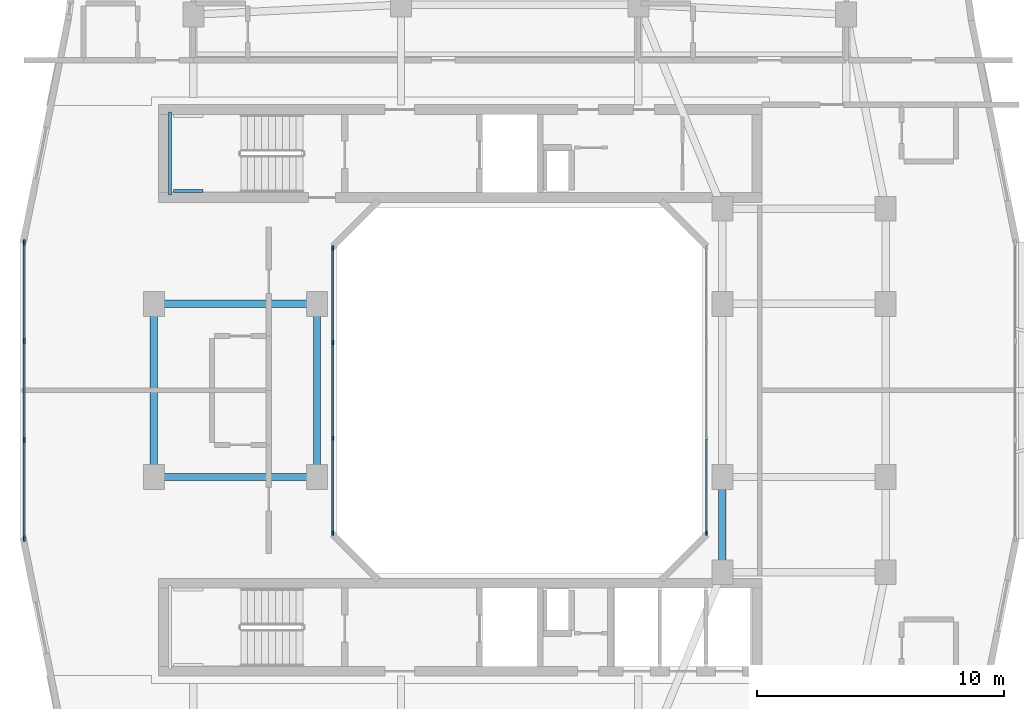
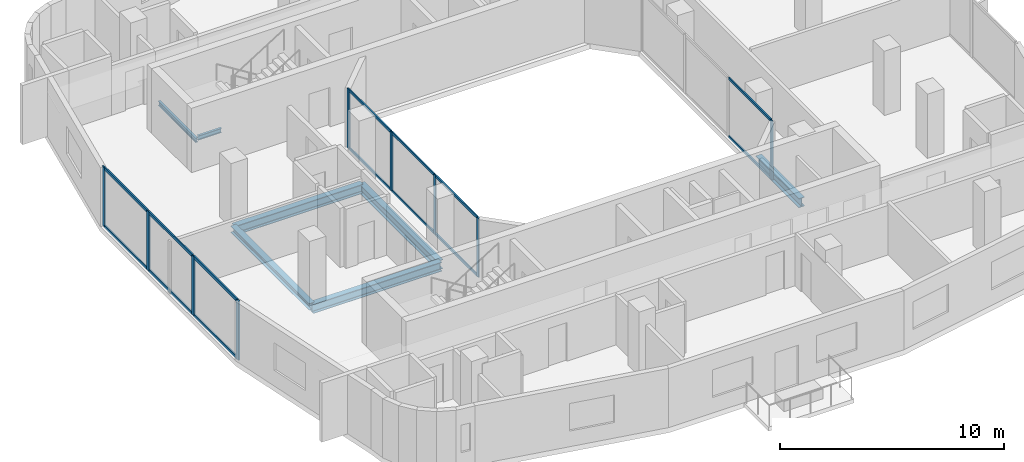
# One storey, part 2 of 13: 23 members, 7 beams, 3 elements without a shape of their own.
"""IFC4 building model written with IfcOpenShell, lengths in metres."""

from ifc_helpers import new_model, si_unit, derived_unit, direction, frame, origin, origin_2d, place, context, subcontext, project, spatial, rectangle, i_section, extrude, material, layer, layer_set, material_profile, profile_set, type_object, element, aggregate, save


model = new_model("IFC4")

# Units and contexts
model_context = context("Model", 3, precision=1e-05, world=origin(), true_north=direction((0.0, 1.0)))
body_context = subcontext(model_context, "Body", "Model", "MODEL_VIEW")
ifc_project = project(units=[si_unit("LENGTHUNIT", "METRE"), si_unit("AREAUNIT", "SQUARE_METRE"), si_unit("VOLUMEUNIT", "CUBIC_METRE"), si_unit("PLANEANGLEUNIT", "RADIAN"), si_unit("MASSUNIT", "GRAM", prefix="KILO"), derived_unit("THERMALTRANSMITTANCEUNIT", [(si_unit("POWERUNIT", "WATT"), 1), (si_unit("LENGTHUNIT", "METRE"), -2), (si_unit("THERMODYNAMICTEMPERATUREUNIT", "KELVIN"), -1)])], contexts=[model_context])

# Site, building, storey
site_placement = place(None, origin())
site = spatial("IfcSite", under=ifc_project, at=site_placement, CompositionType="ELEMENT")
building_placement = place(site_placement, origin())
building = spatial("IfcBuilding", under=site, at=building_placement, Name="Kivonza Crest Hotel", CompositionType="ELEMENT")
storey_placement = place(building_placement, frame((0.0, 0.0, 134.5)))
storey = spatial("IfcBuildingStorey", under=building, at=storey_placement, Name="L36", CompositionType="ELEMENT", Elevation=134.5)

# Beams
ifc_material_1 = material(Name="Steel S355", Category="steel")
ifc_material_profile_1 = material_profile(ifc_material_1, i_section(OverallWidth=0.300048828125, OverallDepth=0.360107421875, WebThickness=0.012451171875, FlangeThickness=0.0224609375, FilletRadius=0.027099609375, at=origin_2d()), Name="HEB 360")
ifc_profile_set_1 = profile_set([ifc_material_profile_1], Name="Steel S355")
beam_type_1 = type_object("IfcBeamType", Name="BM-HEB360", PredefinedType="SPANDREL", material=ifc_profile_set_1)
beam_1_placement = place(storey_placement, frame((6.199951171875, 28.5, -0.4599609375), z_axis=(0.0, -1.0, 0.0), x_axis=(1.0, 0.0, 0.0)))
element("IfcBeam", 1, at=beam_1_placement, inside=storey, type_object=beam_type_1, Name="Tower T1 L36 perimeter spandrel W2-W1", PredefinedType="SPANDREL", context=body_context, shape_type="SweptSolid", body=[
    extrude(i_section(OverallWidth=0.300048828125, OverallDepth=0.360107421875, WebThickness=0.012451171875, FlangeThickness=0.0224609375, FilletRadius=0.027099609375, at=origin_2d()), origin(), (0.0, 0.0, 1.0), 7.0),
])
ifc_material_profile_2 = material_profile(ifc_material_1, i_section(OverallWidth=0.300048828125, OverallDepth=0.5, WebThickness=0.014404296875, FlangeThickness=0.028076171875, FilletRadius=0.027099609375, at=origin_2d()), Name="HEB 500")
ifc_profile_set_2 = profile_set([ifc_material_profile_2], Name="Steel S355")
beam_type_2 = type_object("IfcBeamType", Name="BM-HEB500", PredefinedType="BEAM", material=ifc_profile_set_2)
for number, where, z_axis, x_axis, name in (
    (2, (6.199951171875, 21.5, -0.530029296875), (1.0, 0.0, 0.0), (0.0, 1.0, 0.0), "Tower T1 L36 primary girder W1-WL1"),
    (3, (6.199951171875, 28.5, -0.530029296875), (1.0, 0.0, 0.0), (0.0, 1.0, 0.0), "Tower T1 L36 primary girder W2-WL2"),
):
    element("IfcBeam", number, at=place(storey_placement, frame(where, z_axis=z_axis, x_axis=x_axis)), inside=storey, type_object=beam_type_2, Name=name, PredefinedType="BEAM", context=body_context, shape_type="SweptSolid", body=[
        extrude(i_section(OverallWidth=0.300048828125, OverallDepth=0.5, WebThickness=0.014404296875, FlangeThickness=0.028076171875, FilletRadius=0.027099609375, at=origin_2d()), origin(), (0.0, 0.0, 1.0), 6.60009765625),
    ])
beam_2_placement = place(storey_placement, frame((12.800048828125, 21.5, -0.530029296875), z_axis=(0.0, 1.0, 0.0), x_axis=(-1.0, 0.0, 0.0)))
element("IfcBeam", 4, at=beam_2_placement, inside=storey, type_object=beam_type_2, Name="Tower T1 L36 primary girder WL1-WL2", PredefinedType="BEAM", context=body_context, shape_type="SweptSolid", body=[
    extrude(i_section(OverallWidth=0.300048828125, OverallDepth=0.5, WebThickness=0.014404296875, FlangeThickness=0.028076171875, FilletRadius=0.027099609375, at=origin_2d()), origin(), (0.0, 0.0, 1.0), 7.0),
])
beam_3_placement = place(storey_placement, frame((29.199951171875, 17.64990234375, -0.530029296875), z_axis=(0.0, 1.0, 0.0), x_axis=(-1.0, 0.0, 0.0)))
element("IfcBeam", 5, at=beam_3_placement, inside=storey, type_object=beam_type_2, Name="Tower T1 L36 primary girder TSE-WR1", PredefinedType="BEAM", context=body_context, shape_type="SweptSolid", body=[
    extrude(i_section(OverallWidth=0.300048828125, OverallDepth=0.5, WebThickness=0.014404296875, FlangeThickness=0.028076171875, FilletRadius=0.027099609375, at=origin_2d()), origin(), (0.0, 0.0, 1.0), 3.85009765625),
])
ifc_material_profile_3 = material_profile(ifc_material_1, i_section(OverallWidth=0.1201171875, OverallDepth=0.239990234375, WebThickness=0.006103515625, FlangeThickness=0.009765625, FilletRadius=0.014892578125, at=origin_2d()), Name="IPE 240")
ifc_profile_set_3 = profile_set([ifc_material_profile_3], Name="Steel S355")
beam_type_3 = type_object("IfcBeamType", Name="BM-LLDG-240", PredefinedType="BEAM", material=ifc_profile_set_3)
beam_4_placement = place(storey_placement, frame((6.860107421875, 32.89990234375, 1.429931640625), z_axis=(0.0, 1.0, 0.0), x_axis=(-1.0, 0.0, 0.0)))
element("IfcBeam", 6, at=beam_4_placement, inside=storey, type_object=beam_type_3, Name="Stair ST-T1-N L36 West landing corbel", PredefinedType="BEAM", context=body_context, shape_type="SweptSolid", body=[
    extrude(i_section(OverallWidth=0.1201171875, OverallDepth=0.239990234375, WebThickness=0.006103515625, FlangeThickness=0.009765625, FilletRadius=0.014892578125, at=origin_2d()), origin(), (0.0, 0.0, 1.0), 3.360107421875),
])
beam_5_placement = place(storey_placement, frame((6.989990234375, 33.06005859375, 1.429931640625), z_axis=(1.0, 0.0, 0.0), x_axis=(0.0, 1.0, 0.0)))
element("IfcBeam", 7, at=beam_5_placement, inside=storey, type_object=beam_type_3, Name="Stair ST-T1-N L36 South landing corbel", PredefinedType="BEAM", context=body_context, shape_type="SweptSolid", body=[
    extrude(i_section(OverallWidth=0.1201171875, OverallDepth=0.239990234375, WebThickness=0.006103515625, FlangeThickness=0.009765625, FilletRadius=0.014892578125, at=origin_2d()), origin(), (0.0, 0.0, 1.0), 1.2099609375),
])

# Curtain wall, member
ifc_material_2 = material(Name="Anodised bronze aluminium and low-E double glazing", Category="aluminium")
ifc_layer_1 = layer(ifc_material_2, 0.159912109375)
ifc_layer_set_1 = layer_set([ifc_layer_1], Name="Anodised bronze aluminium and low-E double glazing")
curtain_wall_type_1 = type_object("IfcCurtainWallType", Name="CW-SYS-5", PredefinedType="NOTDEFINED", material=ifc_layer_set_1)
curtain_wall_1_placement = place(storey_placement, origin())
curtain_wall_1 = element("IfcCurtainWall", 8, at=curtain_wall_1_placement, inside=storey, type_object=curtain_wall_type_1, Name="L36 unitised curtain wall CW-WELL-T1-L36-3", PredefinedType="NOTDEFINED")
ifc_material_3 = material(Name="Anodised bronze aluminium", Category="aluminium")
ifc_material_profile_4 = material_profile(ifc_material_3, rectangle(XDim=0.06494140625, YDim=0.179931640625, at=origin_2d()), Name="CW-M 65x180")
ifc_profile_set_4 = profile_set([ifc_material_profile_4], Name="Anodised bronze aluminium")
member_type_1 = type_object("IfcMemberType", Name="CW-MUL-65x180", PredefinedType="MULLION", material=ifc_profile_set_4)
member_1_placement = place(storey_placement, frame((28.56005859375, 19.232421875, 0.0), z_axis=(0.0, 0.0, 1.0), x_axis=(-1.0, 0.0, 0.0)))
member_1 = element("IfcMember", 9, at=member_1_placement, type_object=member_type_1, Name="CW-5 mullion 1", PredefinedType="MULLION", context=body_context, shape_type="SweptSolid", body=[
    extrude(rectangle(XDim=0.06494140625, YDim=0.179931640625, at=origin_2d()), origin(), (0.0, 0.0, 1.0), 3.219970703125),
])

# Curtain wall, members
curtain_wall_2_placement = place(storey_placement, origin())
curtain_wall_2 = element("IfcCurtainWall", 10, at=curtain_wall_2_placement, inside=storey, type_object=curtain_wall_type_1, Name="L36 unitised curtain wall CW-WELL-T1-L36-7", PredefinedType="NOTDEFINED")
member_2_placement = place(storey_placement, frame((13.43994140625, 30.767578125, 0.0), z_axis=(0.0, 0.0, 1.0), x_axis=(1.0, 0.0, 0.0)))
member_2 = element("IfcMember", 11, at=member_2_placement, type_object=member_type_1, Name="CW-5 mullion 1", PredefinedType="MULLION", context=body_context, shape_type="SweptSolid", body=[
    extrude(rectangle(XDim=0.06494140625, YDim=0.179931640625, at=origin_2d()), origin(), (0.0, 0.0, 1.0), 3.219970703125),
])
member_3_placement = place(storey_placement, frame((13.43994140625, 26.933349609375, 0.0), z_axis=(0.0, 0.0, 1.0), x_axis=(1.0, 0.0, 0.0)))
member_3 = element("IfcMember", 12, at=member_3_placement, type_object=member_type_1, Name="CW-5 mullion 2", PredefinedType="MULLION", context=body_context, shape_type="SweptSolid", body=[
    extrude(rectangle(XDim=0.06494140625, YDim=0.179931640625, at=origin_2d()), origin(), (0.0, 0.0, 1.0), 3.219970703125),
])
member_4_placement = place(storey_placement, frame((13.43994140625, 23.066650390625, 0.0), z_axis=(0.0, 0.0, 1.0), x_axis=(1.0, 0.0, 0.0)))
member_4 = element("IfcMember", 13, at=member_4_placement, type_object=member_type_1, Name="CW-5 mullion 3", PredefinedType="MULLION", context=body_context, shape_type="SweptSolid", body=[
    extrude(rectangle(XDim=0.06494140625, YDim=0.179931640625, at=origin_2d()), origin(), (0.0, 0.0, 1.0), 3.219970703125),
])
member_5_placement = place(storey_placement, frame((13.43994140625, 19.232421875, 0.0), z_axis=(0.0, 0.0, 1.0), x_axis=(1.0, 0.0, 0.0)))
member_5 = element("IfcMember", 14, at=member_5_placement, type_object=member_type_1, Name="CW-5 mullion 4", PredefinedType="MULLION", context=body_context, shape_type="SweptSolid", body=[
    extrude(rectangle(XDim=0.06494140625, YDim=0.179931640625, at=origin_2d()), origin(), (0.0, 0.0, 1.0), 3.219970703125),
])

ifc_layer_2 = layer(ifc_material_2, 0.179931640625)
ifc_layer_set_2 = layer_set([ifc_layer_2], Name="Anodised bronze aluminium and low-E double glazing")
curtain_wall_type_2 = type_object("IfcCurtainWallType", Name="CW-SYS-3", PredefinedType="NOTDEFINED", material=ifc_layer_set_2)
curtain_wall_3_placement = place(storey_placement, origin())
curtain_wall_3 = element("IfcCurtainWall", 15, at=curtain_wall_3_placement, inside=storey, type_object=curtain_wall_type_2, Name="L36 unitised curtain wall CW-T1-L36-35", PredefinedType="NOTDEFINED")
ifc_material_profile_5 = material_profile(ifc_material_3, rectangle(XDim=0.074951171875, YDim=0.219970703125, at=origin_2d()), Name="CW-M 75x220")
ifc_profile_set_5 = profile_set([ifc_material_profile_5], Name="Anodised bronze aluminium")
member_type_2 = type_object("IfcMemberType", Name="CW-MUL-75x220", PredefinedType="MULLION", material=ifc_profile_set_5)
member_6_placement = place(storey_placement, frame((0.9599609375, 30.982421875, 0.0), z_axis=(0.0, 0.0, 1.0), x_axis=(1.0, 0.0, 0.0)))
member_6 = element("IfcMember", 16, at=member_6_placement, type_object=member_type_2, Name="CW-3 mullion 1", PredefinedType="MULLION", context=body_context, shape_type="SweptSolid", body=[
    extrude(rectangle(XDim=0.074951171875, YDim=0.219970703125, at=origin_2d()), origin(), (0.0, 0.0, 1.0), 3.219970703125),
])
member_7_placement = place(storey_placement, frame((0.9599609375, 27.006591796875, 0.0), z_axis=(0.0, 0.0, 1.0), x_axis=(1.0, 0.0, 0.0)))
member_7 = element("IfcMember", 17, at=member_7_placement, type_object=member_type_2, Name="CW-3 mullion 2", PredefinedType="MULLION", context=body_context, shape_type="SweptSolid", body=[
    extrude(rectangle(XDim=0.074951171875, YDim=0.219970703125, at=origin_2d()), origin(), (0.0, 0.0, 1.0), 3.219970703125),
])
member_8_placement = place(storey_placement, frame((0.9599609375, 22.993408203125, 0.0), z_axis=(0.0, 0.0, 1.0), x_axis=(1.0, 0.0, 0.0)))
member_8 = element("IfcMember", 18, at=member_8_placement, type_object=member_type_2, Name="CW-3 mullion 3", PredefinedType="MULLION", context=body_context, shape_type="SweptSolid", body=[
    extrude(rectangle(XDim=0.074951171875, YDim=0.219970703125, at=origin_2d()), origin(), (0.0, 0.0, 1.0), 3.219970703125),
])
member_9_placement = place(storey_placement, frame((0.9599609375, 19.017578125, 0.0), z_axis=(0.0, 0.0, 1.0), x_axis=(1.0, 0.0, 0.0)))
member_9 = element("IfcMember", 19, at=member_9_placement, type_object=member_type_2, Name="CW-3 mullion 4", PredefinedType="MULLION", context=body_context, shape_type="SweptSolid", body=[
    extrude(rectangle(XDim=0.074951171875, YDim=0.219970703125, at=origin_2d()), origin(), (0.0, 0.0, 1.0), 3.219970703125),
])

# Member
ifc_material_profile_6 = material_profile(ifc_material_3, rectangle(XDim=0.06494140625, YDim=0.139892578125, at=origin_2d()), Name="CW-T 65x140")
ifc_profile_set_6 = profile_set([ifc_material_profile_6], Name="Anodised bronze aluminium")
member_type_3 = type_object("IfcMemberType", Name="CW-TRN-65x140", PredefinedType="USERDEFINED", material=ifc_profile_set_6)
member_10_placement = place(storey_placement, frame((28.56005859375, 19.264892578125, 0.032470703125), z_axis=(0.0, 1.0, 0.0), x_axis=(-1.0, 0.0, 0.0)))
member_10 = element("IfcMember", 20, at=member_10_placement, type_object=member_type_3, Name="CW-5 transom 1.1", ObjectType="TRANSOM", PredefinedType="USERDEFINED", context=body_context, shape_type="SweptSolid", body=[
    extrude(rectangle(XDim=0.06494140625, YDim=0.139892578125, at=origin_2d()), origin(), (0.0, 0.0, 1.0), 3.769287109375),
])

member_11_placement = place(storey_placement, frame((28.56005859375, 19.264892578125, 3.1875), z_axis=(0.0, 1.0, 0.0), x_axis=(-1.0, 0.0, 0.0)))
member_11 = element("IfcMember", 21, at=member_11_placement, type_object=member_type_3, Name="CW-5 transom 1.2", ObjectType="TRANSOM", PredefinedType="USERDEFINED", context=body_context, shape_type="SweptSolid", body=[
    extrude(rectangle(XDim=0.06494140625, YDim=0.139892578125, at=origin_2d()), origin(), (0.0, 0.0, 1.0), 3.769287109375),
])

aggregate(curtain_wall_1, [member_1, member_10, member_11])

member_12_placement = place(storey_placement, frame((13.43994140625, 30.735107421875, 0.032470703125), z_axis=(0.0, -1.0, 0.0), x_axis=(1.0, 0.0, 0.0)))
member_12 = element("IfcMember", 22, at=member_12_placement, type_object=member_type_3, Name="CW-5 transom 1.1", ObjectType="TRANSOM", PredefinedType="USERDEFINED", context=body_context, shape_type="SweptSolid", body=[
    extrude(rectangle(XDim=0.06494140625, YDim=0.139892578125, at=origin_2d()), origin(), (0.0, 0.0, 1.0), 3.769287109375),
])

member_13_placement = place(storey_placement, frame((13.43994140625, 30.735107421875, 3.1875), z_axis=(0.0, -1.0, 0.0), x_axis=(1.0, 0.0, 0.0)))
member_13 = element("IfcMember", 23, at=member_13_placement, type_object=member_type_3, Name="CW-5 transom 1.2", ObjectType="TRANSOM", PredefinedType="USERDEFINED", context=body_context, shape_type="SweptSolid", body=[
    extrude(rectangle(XDim=0.06494140625, YDim=0.139892578125, at=origin_2d()), origin(), (0.0, 0.0, 1.0), 3.769287109375),
])

member_14_placement = place(storey_placement, frame((13.43994140625, 26.90087890625, 0.032470703125), z_axis=(0.0, -1.0, 0.0), x_axis=(1.0, 0.0, 0.0)))
member_14 = element("IfcMember", 24, at=member_14_placement, type_object=member_type_3, Name="CW-5 transom 2.1", ObjectType="TRANSOM", PredefinedType="USERDEFINED", context=body_context, shape_type="SweptSolid", body=[
    extrude(rectangle(XDim=0.06494140625, YDim=0.139892578125, at=origin_2d()), origin(), (0.0, 0.0, 1.0), 3.8017578125),
])

member_15_placement = place(storey_placement, frame((13.43994140625, 26.90087890625, 3.1875), z_axis=(0.0, -1.0, 0.0), x_axis=(1.0, 0.0, 0.0)))
member_15 = element("IfcMember", 25, at=member_15_placement, type_object=member_type_3, Name="CW-5 transom 2.2", ObjectType="TRANSOM", PredefinedType="USERDEFINED", context=body_context, shape_type="SweptSolid", body=[
    extrude(rectangle(XDim=0.06494140625, YDim=0.139892578125, at=origin_2d()), origin(), (0.0, 0.0, 1.0), 3.8017578125),
])

member_16_placement = place(storey_placement, frame((13.43994140625, 23.0341796875, 0.032470703125), z_axis=(0.0, -1.0, 0.0), x_axis=(1.0, 0.0, 0.0)))
member_16 = element("IfcMember", 26, at=member_16_placement, type_object=member_type_3, Name="CW-5 transom 3.1", ObjectType="TRANSOM", PredefinedType="USERDEFINED", context=body_context, shape_type="SweptSolid", body=[
    extrude(rectangle(XDim=0.06494140625, YDim=0.139892578125, at=origin_2d()), origin(), (0.0, 0.0, 1.0), 3.769287109375),
])

member_17_placement = place(storey_placement, frame((13.43994140625, 23.0341796875, 3.1875), z_axis=(0.0, -1.0, 0.0), x_axis=(1.0, 0.0, 0.0)))
member_17 = element("IfcMember", 27, at=member_17_placement, type_object=member_type_3, Name="CW-5 transom 3.2", ObjectType="TRANSOM", PredefinedType="USERDEFINED", context=body_context, shape_type="SweptSolid", body=[
    extrude(rectangle(XDim=0.06494140625, YDim=0.139892578125, at=origin_2d()), origin(), (0.0, 0.0, 1.0), 3.769287109375),
])

aggregate(curtain_wall_2, [member_2, member_3, member_4, member_5, member_12, member_13, member_14, member_15, member_16, member_17])

ifc_material_profile_7 = material_profile(ifc_material_3, rectangle(XDim=0.074951171875, YDim=0.159912109375, at=origin_2d()), Name="CW-T 75x160")
ifc_profile_set_7 = profile_set([ifc_material_profile_7], Name="Anodised bronze aluminium")
member_type_4 = type_object("IfcMemberType", Name="CW-TRN-75x160", PredefinedType="USERDEFINED", material=ifc_profile_set_7)
member_18_placement = place(storey_placement, frame((0.9599609375, 30.945068359375, 0.03759765625), z_axis=(0.0, -1.0, 0.0), x_axis=(1.0, 0.0, 0.0)))
member_18 = element("IfcMember", 28, at=member_18_placement, type_object=member_type_4, Name="CW-3 transom 1.1", ObjectType="TRANSOM", PredefinedType="USERDEFINED", context=body_context, shape_type="SweptSolid", body=[
    extrude(rectangle(XDim=0.074951171875, YDim=0.159912109375, at=origin_2d()), origin(), (0.0, 0.0, 1.0), 3.90087890625),
])

member_19_placement = place(storey_placement, frame((0.9599609375, 30.945068359375, 3.1826171875), z_axis=(0.0, -1.0, 0.0), x_axis=(1.0, 0.0, 0.0)))
member_19 = element("IfcMember", 29, at=member_19_placement, type_object=member_type_4, Name="CW-3 transom 1.2", ObjectType="TRANSOM", PredefinedType="USERDEFINED", context=body_context, shape_type="SweptSolid", body=[
    extrude(rectangle(XDim=0.074951171875, YDim=0.159912109375, at=origin_2d()), origin(), (0.0, 0.0, 1.0), 3.90087890625),
])

member_20_placement = place(storey_placement, frame((0.9599609375, 26.96923828125, 0.03759765625), z_axis=(0.0, -1.0, 0.0), x_axis=(1.0, 0.0, 0.0)))
member_20 = element("IfcMember", 30, at=member_20_placement, type_object=member_type_4, Name="CW-3 transom 2.1", ObjectType="TRANSOM", PredefinedType="USERDEFINED", context=body_context, shape_type="SweptSolid", body=[
    extrude(rectangle(XDim=0.074951171875, YDim=0.159912109375, at=origin_2d()), origin(), (0.0, 0.0, 1.0), 3.9384765625),
])

member_21_placement = place(storey_placement, frame((0.9599609375, 26.96923828125, 3.1826171875), z_axis=(0.0, -1.0, 0.0), x_axis=(1.0, 0.0, 0.0)))
member_21 = element("IfcMember", 31, at=member_21_placement, type_object=member_type_4, Name="CW-3 transom 2.2", ObjectType="TRANSOM", PredefinedType="USERDEFINED", context=body_context, shape_type="SweptSolid", body=[
    extrude(rectangle(XDim=0.074951171875, YDim=0.159912109375, at=origin_2d()), origin(), (0.0, 0.0, 1.0), 3.9384765625),
])

member_22_placement = place(storey_placement, frame((0.9599609375, 22.955810546875, 0.03759765625), z_axis=(0.0, -1.0, 0.0), x_axis=(1.0, 0.0, 0.0)))
member_22 = element("IfcMember", 32, at=member_22_placement, type_object=member_type_4, Name="CW-3 transom 3.1", ObjectType="TRANSOM", PredefinedType="USERDEFINED", context=body_context, shape_type="SweptSolid", body=[
    extrude(rectangle(XDim=0.074951171875, YDim=0.159912109375, at=origin_2d()), origin(), (0.0, 0.0, 1.0), 3.90087890625),
])

member_23_placement = place(storey_placement, frame((0.9599609375, 22.955810546875, 3.1826171875), z_axis=(0.0, -1.0, 0.0), x_axis=(1.0, 0.0, 0.0)))
member_23 = element("IfcMember", 33, at=member_23_placement, type_object=member_type_4, Name="CW-3 transom 3.2", ObjectType="TRANSOM", PredefinedType="USERDEFINED", context=body_context, shape_type="SweptSolid", body=[
    extrude(rectangle(XDim=0.074951171875, YDim=0.159912109375, at=origin_2d()), origin(), (0.0, 0.0, 1.0), 3.90087890625),
])

aggregate(curtain_wall_3, [member_6, member_7, member_8, member_9, member_18, member_19, member_20, member_21, member_22, member_23])

save(model, "model.ifc")
